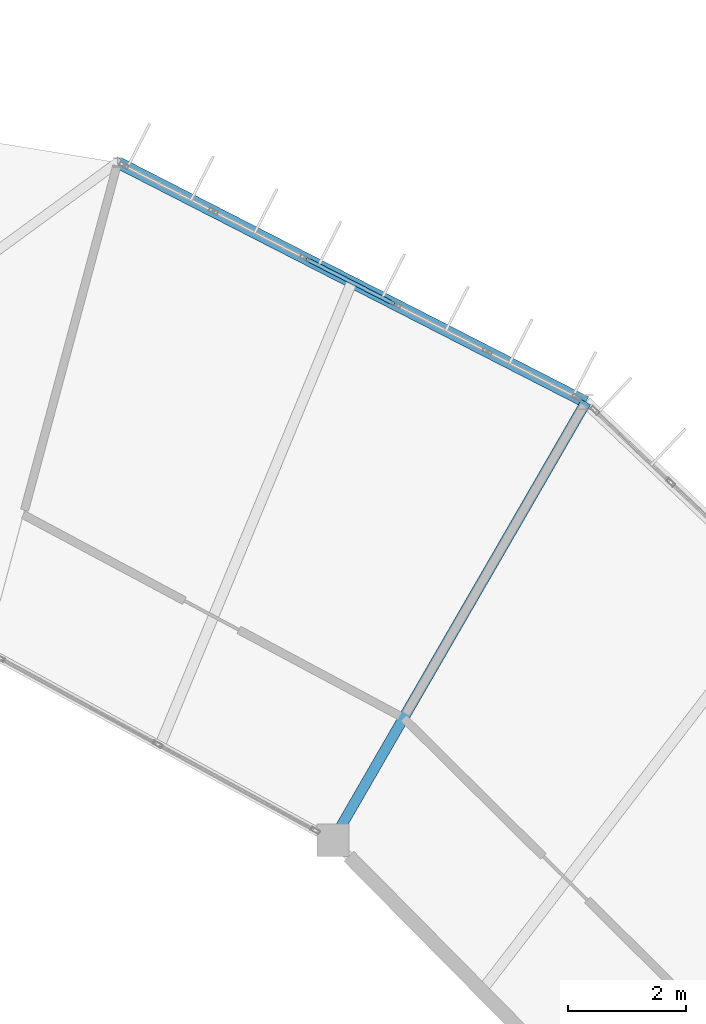
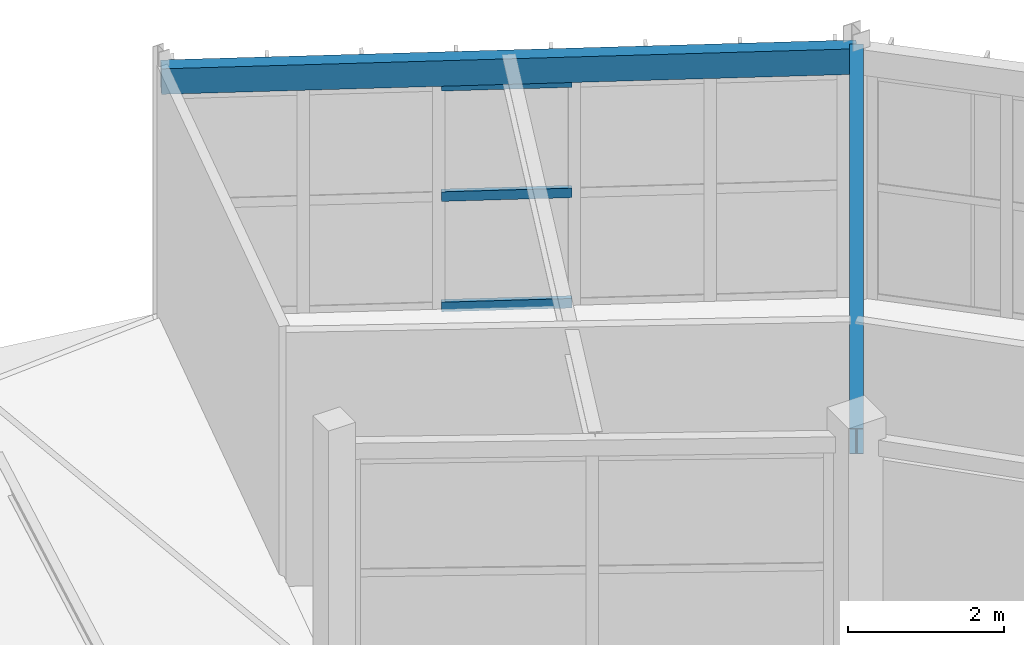
# One storey, part 38 of 66: 3 members, 2 beams, 1 element without a shape of its own.
"""IFC4 building model written with IfcOpenShell, lengths in metres."""

from ifc_helpers import new_model, si_unit, direction, frame, origin, origin_2d, place, context, subcontext, project, spatial, hollow_rectangle, i_section, extrude, material, material_profile, profile_set, type_object, element, aggregate, save


model = new_model("IFC4")

# Units and contexts
model_context = context("Model", 3, precision=1e-05, world=origin(), true_north=direction((0.0, 1.0)))
body_context = subcontext(model_context, "Body", "Model", "MODEL_VIEW")
ifc_project = project(units=[si_unit("LENGTHUNIT", "METRE"), si_unit("AREAUNIT", "SQUARE_METRE"), si_unit("VOLUMEUNIT", "CUBIC_METRE"), si_unit("PLANEANGLEUNIT", "RADIAN"), si_unit("MASSUNIT", "GRAM", prefix="KILO")], contexts=[model_context])

# Site, building, storey
site_placement = place(None, origin())
site = spatial("IfcSite", under=ifc_project, at=site_placement, CompositionType="ELEMENT")
building_placement = place(site_placement, origin())
building = spatial("IfcBuilding", under=site, at=building_placement, Name="Karori Crest Natural Sciences Institute", CompositionType="ELEMENT")
storey_placement = place(building_placement, frame((0.0, 0.0, 30.10009765625)))
storey = spatial("IfcBuildingStorey", under=building, at=storey_placement, Name="L07", CompositionType="ELEMENT", Elevation=30.10009765625)

# Beams
ifc_material_1 = material(Name="Structural steel AS/NZS 3679.1 Grade 350", Category="steel")
ifc_material_profile_1 = material_profile(ifc_material_1, i_section(OverallWidth=0.177978515625, OverallDepth=0.406005859375, WebThickness=0.0078125, FlangeThickness=0.0126953125, FilletRadius=0.010986328125, at=origin_2d()), Name="410UB59.7")
ifc_profile_set_1 = profile_set([ifc_material_profile_1], Name="Structural steel AS/NZS 3679.1 Grade 350")
beam_type_1 = type_object("IfcBeamType", Name="BT-07", PredefinedType="BEAM", material=ifc_profile_set_1)
beam_1_placement = place(storey_placement, frame((78.60009765625, 77.785888671875, 3.739990234375), z_axis=(0.499973925258, 0.86604045752, 0.0), x_axis=(-0.86604045752, 0.499973925258, 0.0)))
element("IfcBeam", 1, at=beam_1_placement, inside=storey, type_object=beam_type_1, Name="Beam B-0658", PredefinedType="BEAM", context=body_context, shape_type="SweptSolid", body=[
    extrude(i_section(OverallWidth=0.177978515625, OverallDepth=0.406005859375, WebThickness=0.0078125, FlangeThickness=0.0126953125, FilletRadius=0.010986328125, at=origin_2d()), origin(), (0.0, 0.0, 1.0), 8.60009765625),
])
ifc_material_2 = material(Name="Hollow structural steel AS/NZS 1163 Grade C350", Category="steel")
ifc_material_profile_2 = material_profile(ifc_material_2, hollow_rectangle(XDim=0.199951171875, YDim=0.39990234375, WallThickness=0.012451171875, at=origin_2d()), Name="RHS400x200x12.5")
ifc_profile_set_2 = profile_set([ifc_material_profile_2], Name="Hollow structural steel AS/NZS 1163 Grade C350")
beam_type_2 = type_object("IfcBeamType", Name="BT-14", PredefinedType="SPANDREL", material=ifc_profile_set_2)
beam_2_placement = place(storey_placement, frame((82.89990234375, 85.23388671875, 3.739990234375), z_axis=(-0.890071733872, 0.455820478436, 0.0), x_axis=(-0.455820478436, -0.890071733872, 0.0)))
element("IfcBeam", 2, at=beam_2_placement, inside=storey, type_object=beam_type_2, Name="Beam B-0656", PredefinedType="SPANDREL", context=body_context, shape_type="SweptSolid", body=[
    extrude(hollow_rectangle(XDim=0.199951171875, YDim=0.39990234375, WallThickness=0.012451171875, at=origin_2d()), origin(), (0.0, 0.0, 1.0), 8.94189453125),
])

# Curtain wall, members
ifc_material_3 = material(Name="Anodised architectural aluminium 6063-T6", Category="aluminium")
curtain_wall_type = type_object("IfcCurtainWallType", Name="CWT-05", PredefinedType="NOTDEFINED", material=ifc_material_3)
curtain_wall_placement = place(storey_placement, origin())
curtain_wall = element("IfcCurtainWall", 3, at=curtain_wall_placement, inside=storey, type_object=curtain_wall_type, Name="Curtain wall CW-0249", PredefinedType="NOTDEFINED")
ifc_material_profile_3 = material_profile(ifc_material_3, hollow_rectangle(XDim=0.06494140625, YDim=0.14990234375, WallThickness=0.00390625, at=origin_2d()), Name="CWT150x65x4")
ifc_profile_set_3 = profile_set([ifc_material_profile_3], Name="Anodised architectural aluminium 6063-T6")
member_type = type_object("IfcMemberType", Name="CWT-TR2", PredefinedType="USERDEFINED", material=ifc_profile_set_3)
member_1_placement = place(storey_placement, frame((78.148681640625, 87.667236328125, 0.032470703125), z_axis=(0.890020328927, -0.455920841919, 0.0), x_axis=(0.455920841919, 0.890020328927, 0.0)))
member_1 = element("IfcMember", 4, at=member_1_placement, type_object=member_type, Name="CW-0249 transom 3.1", ObjectType="TRANSOM", PredefinedType="USERDEFINED", context=body_context, shape_type="SweptSolid", body=[
    extrude(hollow_rectangle(XDim=0.06494140625, YDim=0.14990234375, WallThickness=0.00390625, at=origin_2d()), origin(), (0.0, 0.0, 1.0), 1.67822265625),
])
member_2_placement = place(storey_placement, frame((78.148681640625, 87.667236328125, 1.762451171875), z_axis=(0.890020328927, -0.455920841919, 0.0), x_axis=(0.455920841919, 0.890020328927, 0.0)))
member_2 = element("IfcMember", 5, at=member_2_placement, type_object=member_type, Name="CW-0249 transom 3.2", ObjectType="TRANSOM", PredefinedType="USERDEFINED", context=body_context, shape_type="SweptSolid", body=[
    extrude(hollow_rectangle(XDim=0.06494140625, YDim=0.14990234375, WallThickness=0.00390625, at=origin_2d()), origin(), (0.0, 0.0, 1.0), 1.67822265625),
])
member_3_placement = place(storey_placement, frame((78.148681640625, 87.667236328125, 3.492431640625), z_axis=(0.890020328927, -0.455920841919, 0.0), x_axis=(0.455920841919, 0.890020328927, 0.0)))
member_3 = element("IfcMember", 6, at=member_3_placement, type_object=member_type, Name="CW-0249 transom 3.3", ObjectType="TRANSOM", PredefinedType="USERDEFINED", context=body_context, shape_type="SweptSolid", body=[
    extrude(hollow_rectangle(XDim=0.06494140625, YDim=0.14990234375, WallThickness=0.00390625, at=origin_2d()), origin(), (0.0, 0.0, 1.0), 1.67822265625),
])
aggregate(curtain_wall, [member_1, member_2, member_3])

save(model, "model.ifc")
